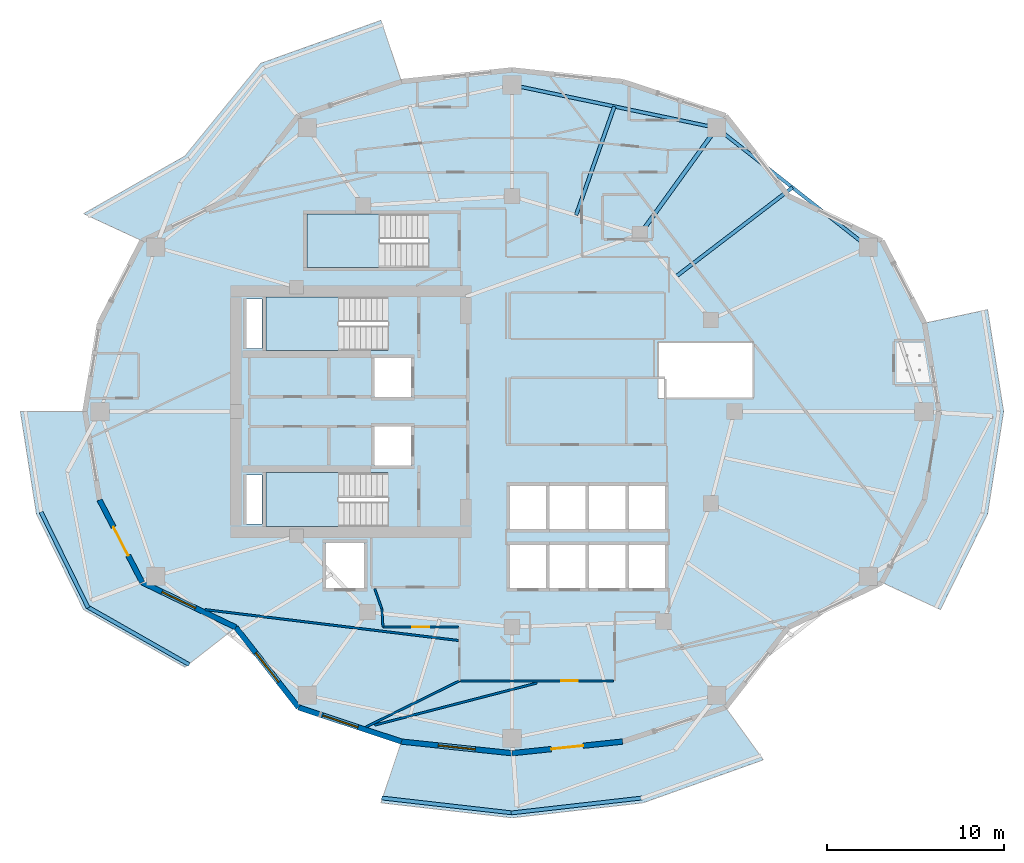
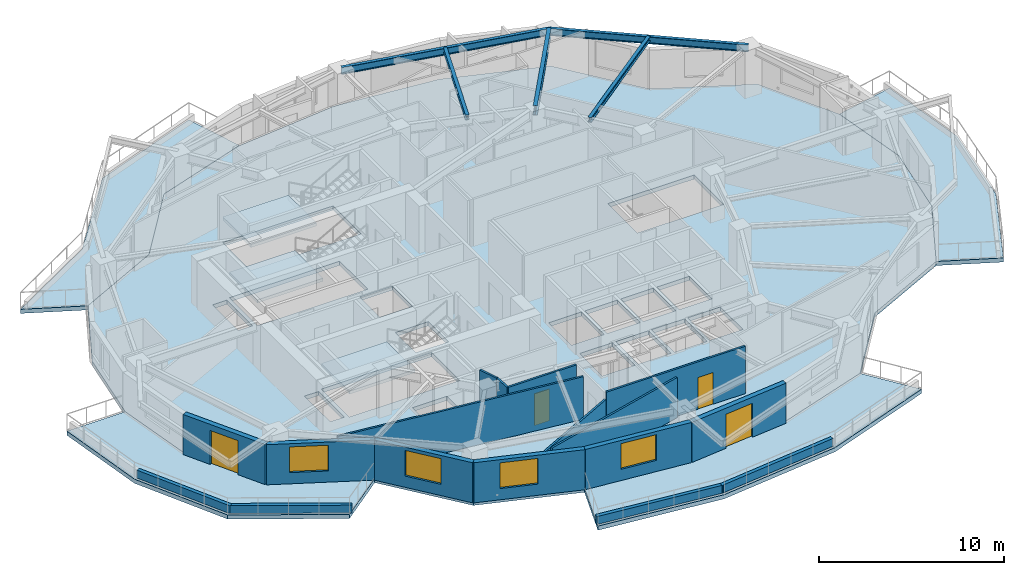
# One storey, part 2 of 14: 17 walls, 8 slabs, 5 beams, 4 doors, 4 windows, 8 openings, 3 elements without a shape of their own.
"""IFC4 building model written with IfcOpenShell, lengths in metres."""

from ifc_helpers import new_model, si_unit, direction, frame, frame_2d, origin, origin_2d, place, context, subcontext, project, spatial, polyline, rectangle, i_section, outline, extrude, material, layer, layer_set, material_profile, profile_set, type_object, element, fill, aggregate, save


model = new_model("IFC4")

# Units and contexts
model_context = context("Model", 3, precision=1e-05, world=origin(), true_north=direction((0.0, 1.0)))
body_context = subcontext(model_context, "Body", "Model", "MODEL_VIEW")
ifc_project = project(units=[si_unit("LENGTHUNIT", "METRE"), si_unit("AREAUNIT", "SQUARE_METRE"), si_unit("VOLUMEUNIT", "CUBIC_METRE"), si_unit("PLANEANGLEUNIT", "RADIAN"), si_unit("MASSUNIT", "GRAM", prefix="KILO")], contexts=[model_context])

# Site, building, storey
site_placement = place(None, origin())
site = spatial("IfcSite", under=ifc_project, at=site_placement, CompositionType="ELEMENT")
building_placement = place(site_placement, origin())
building = spatial("IfcBuilding", under=site, at=building_placement, Name="Kolvaren Gate Tower and Convention Centre", CompositionType="ELEMENT")
storey_placement = place(building_placement, frame((0.0, 0.0, 118.89990234375)))
storey = spatial("IfcBuildingStorey", under=building, at=storey_placement, Name="L29", CompositionType="ELEMENT", Elevation=118.89990234375)

# Beams
ifc_material_1 = material(Name="Structural steel ASTM A992 Grade 345 MPa", Category="steel")
ifc_material_profile_1 = material_profile(ifc_material_1, i_section(OverallWidth=0.22998046875, OverallDepth=0.616943359375, WebThickness=0.01318359375, FlangeThickness=0.022216796875, at=origin_2d()), Name="W610X140")
ifc_profile_set_1 = profile_set([ifc_material_profile_1], Name="Structural steel ASTM A992 Grade 345 MPa")
beam_type_1 = type_object("IfcBeamType", Name="STR-BM-W610X140", PredefinedType="BEAM", material=ifc_profile_set_1)
beam_1_placement = place(storey_placement, frame((37.381591796875, 37.054931640625, 2.821533203125), z_axis=(0.585208050015, 0.810883184064, 0.0), x_axis=(-0.810883184064, 0.585208050015, 0.0)))
element("IfcBeam", 1, at=beam_1_placement, inside=storey, type_object=beam_type_1, Name="Tower L29 Radial Floor Girder RB-03", PredefinedType="BEAM", context=body_context, shape_type="SweptSolid", body=[
    extrude(i_section(OverallWidth=0.22998046875, OverallDepth=0.616943359375, WebThickness=0.01318359375, FlangeThickness=0.022216796875, at=origin_2d()), origin(), (0.0, 0.0, 1.0), 7.416015625),
])
ifc_material_profile_2 = material_profile(ifc_material_1, i_section(OverallWidth=0.205078125, OverallDepth=0.31005859375, WebThickness=0.009521484375, FlangeThickness=0.016357421875, at=origin_2d()), Name="W310X74")
ifc_profile_set_2 = profile_set([ifc_material_profile_2], Name="Structural steel ASTM A992 Grade 345 MPa")
beam_type_2 = type_object("IfcBeamType", Name="STR-JS-W310X74", PredefinedType="JOIST", material=ifc_profile_set_2)
beam_2_placement = place(storey_placement, frame((39.3818359375, 34.627197265625, 2.97509765625), z_axis=(0.79454218325, 0.607208958297, 0.0), x_axis=(-0.607208958297, 0.79454218325, 0.0)))
element("IfcBeam", 2, at=beam_2_placement, inside=storey, type_object=beam_type_2, Name="Tower L29 Secondary Composite Floor Joist J-02.1", PredefinedType="JOIST", context=body_context, shape_type="SweptSolid", body=[
    extrude(i_section(OverallWidth=0.205078125, OverallDepth=0.31005859375, WebThickness=0.009521484375, FlangeThickness=0.016357421875, at=origin_2d()), origin(), (0.0, 0.0, 1.0), 8.34326171875),
])
beam_3_placement = place(storey_placement, frame((33.75341796875, 38.12744140625, 2.97509765625), z_axis=(0.332372088023, 0.943148342046, 0.0), x_axis=(-0.943148342046, 0.332372088023, 0.0)))
element("IfcBeam", 3, at=beam_3_placement, inside=storey, type_object=beam_type_2, Name="Tower L29 Secondary Composite Floor Joist J-03.1", PredefinedType="JOIST", context=body_context, shape_type="SweptSolid", body=[
    extrude(i_section(OverallWidth=0.205078125, OverallDepth=0.31005859375, WebThickness=0.009521484375, FlangeThickness=0.016357421875, at=origin_2d()), origin(), (0.0, 0.0, 1.0), 6.52783203125),
])
ifc_material_profile_3 = material_profile(ifc_material_1, i_section(OverallWidth=0.194091796875, OverallDepth=0.468994140625, WebThickness=0.0126953125, FlangeThickness=0.0205078125, at=origin_2d()), Name="W460X106")
ifc_profile_set_3 = profile_set([ifc_material_profile_3], Name="Structural steel ASTM A992 Grade 345 MPa")
beam_type_3 = type_object("IfcBeamType", Name="STR-SP-W460X106", PredefinedType="SPANDREL", material=ifc_profile_set_3)
beam_4_placement = place(storey_placement, frame((50.30029296875, 36.318603515625, 2.8955078125), z_axis=(-0.785907610354, 0.618343939881, 0.0), x_axis=(-0.618343939881, -0.785907610354, 0.0)))
element("IfcBeam", 4, at=beam_4_placement, inside=storey, type_object=beam_type_3, Name="Tower L29 Perimeter Spandrel Beam SP-02", PredefinedType="SPANDREL", context=body_context, shape_type="SweptSolid", body=[
    extrude(i_section(OverallWidth=0.194091796875, OverallDepth=0.468994140625, WebThickness=0.0126953125, FlangeThickness=0.0205078125, at=origin_2d()), origin(), (0.0, 0.0, 1.0), 10.915771484375),
])
beam_5_placement = place(storey_placement, frame((41.721435546875, 43.068359375, 2.8955078125), z_axis=(-0.978714746947, 0.205225349578, 0.0), x_axis=(-0.205225349578, -0.978714746947, 0.0)))
element("IfcBeam", 5, at=beam_5_placement, inside=storey, type_object=beam_type_3, Name="Tower L29 Perimeter Spandrel Beam SP-03", PredefinedType="SPANDREL", context=body_context, shape_type="SweptSolid", body=[
    extrude(i_section(OverallWidth=0.194091796875, OverallDepth=0.468994140625, WebThickness=0.0126953125, FlangeThickness=0.0205078125, at=origin_2d()), origin(), (0.0, 0.0, 1.0), 11.8486328125),
])

# Slabs
ifc_material_2 = material(Name="Concrete C50/60", Category="concrete")
ifc_layer_1 = layer(ifc_material_2, 0.27001953125)
ifc_layer_set_1 = layer_set([ifc_layer_1], Name="Concrete C50/60")
slab_type_1 = type_object("IfcSlabType", Name="STR-SL-BALC-270", PredefinedType="FLOOR", material=ifc_layer_set_1)
slab_1_placement = place(storey_placement, frame((0.0, 0.0, -0.27001953125)))
element("IfcSlab", 6, at=slab_1_placement, inside=storey, type_object=slab_type_1, Name="Tower L29 Planted Balcony Terrace Slab 1 (North)", PredefinedType="FLOOR", context=body_context, shape_type="SweptSolid", body=[
    extrude(outline(polyline([(23.86474609375, 45.690673828125), (18.03125, 43.757568359375), (14.481201171875, 39.222900390625), (9.177978515625, 36.675048828125), (5.855224609375, 38.209716796875), (11.597412109375, 41.476318359375), (15.889404296875, 46.725341796875), (22.702392578125, 49.1611328125), (23.86474609375, 45.690673828125)])), origin(), (0.0, 0.0, 1.0), 0.27001953125),
])
slab_2_placement = place(storey_placement, frame((0.0, 0.0, -0.27001953125)))
element("IfcSlab", 7, at=slab_2_placement, inside=storey, type_object=slab_type_1, Name="Tower L29 Planted Balcony Terrace Slab 2 (West)", PredefinedType="FLOOR", context=body_context, shape_type="SweptSolid", body=[
    extrude(outline(polyline([(5.9375, 27.0), (6.76171875, 21.991943359375), (9.177978515625, 17.324951171875), (14.481201171875, 14.777099609375), (11.597412109375, 12.523681640625), (5.855224609375, 15.790283203125), (3.18310546875, 21.224853515625), (2.277587890625, 27.0), (5.9375, 27.0)])), origin(), (0.0, 0.0, 1.0), 0.27001953125),
])
slab_3_placement = place(storey_placement, frame((0.0, 0.0, -0.27001953125)))
element("IfcSlab", 8, at=slab_3_placement, inside=storey, type_object=slab_type_1, Name="Tower L29 Planted Balcony Terrace Slab 3 (South)", PredefinedType="FLOOR", context=body_context, shape_type="SweptSolid", body=[
    extrude(outline(polyline([(23.86474609375, 8.309326171875), (30.125, 7.64990234375), (36.38525390625, 8.309326171875), (42.21875, 10.242431640625), (44.360595703125, 7.274658203125), (37.547607421875, 4.8388671875), (30.125, 3.989990234375), (22.702392578125, 4.8388671875), (23.86474609375, 8.309326171875)])), origin(), (0.0, 0.0, 1.0), 0.27001953125),
])
slab_4_placement = place(storey_placement, frame((0.0, 0.0, -0.27001953125)))
element("IfcSlab", 9, at=slab_4_placement, inside=storey, type_object=slab_type_1, Name="Tower L29 Planted Balcony Terrace Slab 4 (East)", PredefinedType="FLOOR", context=body_context, shape_type="SweptSolid", body=[
    extrude(outline(polyline([(51.072021484375, 17.324951171875), (53.48828125, 21.991943359375), (54.3125, 27.0), (53.48828125, 32.008056640625), (57.06689453125, 32.775146484375), (57.972412109375, 27.0), (57.06689453125, 21.224853515625), (54.394775390625, 15.790283203125), (51.072021484375, 17.324951171875)])), origin(), (0.0, 0.0, 1.0), 0.27001953125),
])
ifc_material_3 = material(Name="Concrete C40/50", Category="concrete")
ifc_layer_2 = layer(ifc_material_3, 0.27001953125)
ifc_layer_set_2 = layer_set([ifc_layer_2], Name="Concrete C40/50")
slab_type_2 = type_object("IfcSlabType", Name="STR-SL-FLR-270", PredefinedType="FLOOR", material=ifc_layer_set_2)
slab_5_placement = place(storey_placement, frame((0.0, 0.0, -0.27001953125)))
element("IfcSlab", 10, at=slab_5_placement, inside=storey, type_object=slab_type_2, Name="Tower L29 Structural Floor Slab", PredefinedType="FLOOR", context=body_context, shape_type="SweptSolid", body=[
    extrude(outline(polyline([(54.3125, 27.0), (53.48828125, 32.008056640625), (51.072021484375, 36.675048828125), (45.768798828125, 39.222900390625), (42.21875, 43.757568359375), (36.38525390625, 45.690673828125), (30.125, 46.35009765625), (23.86474609375, 45.690673828125), (18.03125, 43.757568359375), (14.481201171875, 39.222900390625), (9.177978515625, 36.675048828125), (6.76171875, 32.008056640625), (5.9375, 27.0), (6.76171875, 21.991943359375), (9.177978515625, 17.324951171875), (14.481201171875, 14.777099609375), (18.03125, 10.242431640625), (23.86474609375, 8.309326171875), (30.125, 7.64990234375), (36.38525390625, 8.309326171875), (42.21875, 10.242431640625), (45.768798828125, 14.777099609375), (51.072021484375, 17.324951171875), (53.48828125, 21.991943359375), (54.3125, 27.0)]), holes=[polyline([(38.39990234375, 30.949951171875), (43.800048828125, 30.949951171875), (43.800048828125, 27.75), (38.39990234375, 27.75), (38.39990234375, 30.949951171875)]), polyline([(36.75, 22.800048828125), (38.800048828125, 22.800048828125), (38.800048828125, 20.35009765625), (36.75, 20.35009765625), (36.75, 22.800048828125)]), polyline([(36.75, 17.0), (36.75, 19.449951171875), (38.800048828125, 19.449951171875), (38.800048828125, 17.0), (36.75, 17.0)]), polyline([(34.5, 20.35009765625), (34.5, 22.800048828125), (36.550048828125, 22.800048828125), (36.550048828125, 20.35009765625), (34.5, 20.35009765625)]), polyline([(34.5, 17.0), (34.5, 19.449951171875), (36.550048828125, 19.449951171875), (36.550048828125, 17.0), (34.5, 17.0)]), polyline([(32.25, 20.35009765625), (32.25, 22.800048828125), (34.300048828125, 22.800048828125), (34.300048828125, 20.35009765625), (32.25, 20.35009765625)]), polyline([(32.25, 17.0), (32.25, 19.449951171875), (34.300048828125, 19.449951171875), (34.300048828125, 17.0), (32.25, 17.0)]), polyline([(30.0, 17.0), (30.0, 19.449951171875), (32.050048828125, 19.449951171875), (32.050048828125, 17.0), (30.0, 17.0)]), polyline([(30.0, 20.35009765625), (30.0, 22.800048828125), (32.050048828125, 22.800048828125), (32.050048828125, 20.35009765625), (30.0, 20.35009765625)]), polyline([(25.39990234375, 38.199951171875), (25.39990234375, 35.159912109375), (18.5, 35.159912109375), (18.5, 38.199951171875), (25.39990234375, 38.199951171875)]), polyline([(22.35009765625, 27.840087890625), (22.35009765625, 30.0400390625), (24.39990234375, 30.0400390625), (24.39990234375, 27.840087890625), (22.35009765625, 27.840087890625)]), polyline([(22.35009765625, 23.9599609375), (22.35009765625, 26.159912109375), (24.39990234375, 26.159912109375), (24.39990234375, 23.9599609375), (22.35009765625, 23.9599609375)]), polyline([(23.10009765625, 33.5), (23.10009765625, 30.4599609375), (16.199951171875, 30.4599609375), (16.199951171875, 33.5), (23.10009765625, 33.5)]), polyline([(23.10009765625, 23.5400390625), (23.10009765625, 20.5), (16.199951171875, 20.5), (16.199951171875, 23.5400390625), (23.10009765625, 23.5400390625)]), polyline([(19.60009765625, 17.0), (19.60009765625, 19.550048828125), (21.75, 19.550048828125), (21.75, 17.0), (19.60009765625, 17.0)]), polyline([(15.080078125, 20.6298828125), (15.080078125, 23.419921875), (15.969970703125, 23.419921875), (15.969970703125, 20.6298828125), (15.080078125, 20.6298828125)]), polyline([(15.080078125, 30.580078125), (15.080078125, 33.3701171875), (15.969970703125, 33.3701171875), (15.969970703125, 30.580078125), (15.080078125, 30.580078125)])]), origin(), (0.0, 0.0, 1.0), 0.27001953125),
])

# Stair, slab
stair_type = type_object("IfcStairType", Name="STR-STAIR-CORE", PredefinedType="HALF_TURN_STAIR", material=ifc_material_2)
stair_1_placement = place(storey_placement, origin())
stair_1 = element("IfcStair", 11, at=stair_1_placement, inside=storey, type_object=stair_type, Name="L29 Tower North Exit Stair ST-T1", PredefinedType="HALF_TURN_STAIR")
ifc_layer_3 = layer(ifc_material_2, 0.199951171875)
ifc_layer_set_3 = layer_set([ifc_layer_3], Name="Concrete C50/60")
slab_type_3 = type_object("IfcSlabType", Name="STR-SL-LAND-200", PredefinedType="LANDING", material=ifc_layer_set_3)
slab_6_placement = place(storey_placement, frame((0.0, 0.0, 1.5)))
slab_6 = element("IfcSlab", 12, at=slab_6_placement, type_object=slab_type_3, Name="ST-T1 landing 1", PredefinedType="LANDING", context=body_context, shape_type="SweptSolid", body=[
    extrude(outline(polyline([(20.31005859375, 33.5), (16.199951171875, 33.5), (16.199951171875, 30.4599609375), (20.31005859375, 30.4599609375), (20.31005859375, 33.5)])), origin(), (0.0, 0.0, 1.0), 0.2001953125),
])
aggregate(stair_1, [slab_6])

stair_2_placement = place(storey_placement, origin())
stair_2 = element("IfcStair", 13, at=stair_2_placement, inside=storey, type_object=stair_type, Name="L29 Tower South Exit Stair ST-T2", PredefinedType="HALF_TURN_STAIR")
slab_7_placement = place(storey_placement, frame((0.0, 0.0, 1.5)))
slab_7 = element("IfcSlab", 14, at=slab_7_placement, type_object=slab_type_3, Name="ST-T2 landing 1", PredefinedType="LANDING", context=body_context, shape_type="SweptSolid", body=[
    extrude(outline(polyline([(20.31005859375, 23.5400390625), (16.199951171875, 23.5400390625), (16.199951171875, 20.5), (20.31005859375, 20.5), (20.31005859375, 23.5400390625)])), origin(), (0.0, 0.0, 1.0), 0.2001953125),
])
aggregate(stair_2, [slab_7])

stair_3_placement = place(storey_placement, origin())
stair_3 = element("IfcStair", 15, at=stair_3_placement, inside=storey, type_object=stair_type, Name="L29 Tower Mid-Zone Exit Stair ST-T3", PredefinedType="HALF_TURN_STAIR")
slab_8_placement = place(storey_placement, frame((0.0, 0.0, 1.5)))
slab_8 = element("IfcSlab", 16, at=slab_8_placement, type_object=slab_type_3, Name="ST-T3 landing 1", PredefinedType="LANDING", context=body_context, shape_type="SweptSolid", body=[
    extrude(outline(polyline([(22.610107421875, 38.199951171875), (18.5, 38.199951171875), (18.5, 35.159912109375), (22.610107421875, 35.159912109375), (22.610107421875, 38.199951171875)])), origin(), (0.0, 0.0, 1.0), 0.2001953125),
])
aggregate(stair_3, [slab_8])

# Wall, opening, door
ifc_material_4 = material(Name="Fire-Rated Acoustic Gypsum Stud Partition", Category="gypsum")
ifc_layer_4 = layer(ifc_material_4, 0.1201171875)
ifc_layer_set_4 = layer_set([ifc_layer_4], Name="Fire-Rated Acoustic Gypsum Stud Partition")
wall_type_1 = type_object("IfcWallType", Name="ARCH-WL-PART-120", PredefinedType="PARTITIONING", material=ifc_layer_set_4)
wall_1_placement = place(storey_placement, frame((27.2119140625, 11.75, 0.0), z_axis=(0.0, 0.0, 1.0), x_axis=(1.0, 0.0, 0.0)))
wall_1 = element("IfcWall", 17, at=wall_1_placement, inside=storey, type_object=wall_type_1, Name="Interior Partition WL-L29-INT-028", PredefinedType="PARTITIONING", context=body_context, shape_type="SweptSolid", body=[
    extrude(rectangle(XDim=8.676025390625, YDim=0.1201171875, at=frame_2d((4.337890625, 0.0))), origin(), (0.0, 0.0, 1.0), 3.130126953125),
])
opening_1_placement = place(wall_1_placement, frame((5.700927734375, 0.0, 0.0)))
opening_1 = element("IfcOpeningElement", 18, at=opening_1_placement, cuts=wall_1, Name="Opening DR-01", PredefinedType="OPENING", context=body_context, shape_type="SweptSolid", body=[
    extrude(rectangle(XDim=0.949951171875, YDim=2.10009765625, at=frame_2d((0.47509765625, 1.050048828125))), frame((0.0, 0.070068359375, 0.0), z_axis=(0.0, -1.0, 0.0), x_axis=(1.0, 0.0, 0.0)), (0.0, 0.0, 1.0), 0.14013671875),
])
ifc_material_5 = material(Name="Painted Architectural Steelwork ASTM A500 Grade C 345 MPa", Category="steel")
door_type_1 = type_object("IfcDoorType", Name="ARCH-DR-RISER-950", OperationType="SINGLE_SWING_RIGHT", PredefinedType="DOOR", material=ifc_material_5)
door_1_placement = place(opening_1_placement, origin())
door_1 = element("IfcDoor", 19, at=door_1_placement, inside=storey, type_object=door_type_1, Name="Executive Seminar Conference Room Door", OperationType="SINGLE_SWING_LEFT", OverallHeight=2.10009765625, OverallWidth=0.949951171875, PredefinedType="DOOR", context=body_context, shape_type="SweptSolid", body=[
    extrude(rectangle(XDim=0.949951171875, YDim=2.10009765625, at=frame_2d((0.47509765625, 1.050048828125))), frame((0.0, 0.02490234375, 0.0), z_axis=(0.0, -1.0, 0.0), x_axis=(1.0, 0.0, 0.0)), (0.0, 0.0, 1.0), 0.050048828125),
])
fill(opening_1, door_1)

wall_2_placement = place(storey_placement, frame((22.81396484375, 14.800048828125, 0.0), z_axis=(0.0, 0.0, 1.0), x_axis=(1.0, 0.0, 0.0)))
wall_2 = element("IfcWall", 20, at=wall_2_placement, inside=storey, type_object=wall_type_1, Name="Interior Partition WL-L29-INT-029", PredefinedType="PARTITIONING", context=body_context, shape_type="SweptSolid", body=[
    extrude(rectangle(XDim=4.27392578125, YDim=0.1201171875, at=frame_2d((2.136962890625, 0.0))), origin(), (0.0, 0.0, 1.0), 3.130126953125),
])
opening_2_placement = place(wall_2_placement, frame((1.662109375, 0.0, 0.0)))
opening_2 = element("IfcOpeningElement", 21, at=opening_2_placement, cuts=wall_2, Name="Opening DR-01", PredefinedType="OPENING", context=body_context, shape_type="SweptSolid", body=[
    extrude(rectangle(XDim=0.949951171875, YDim=2.10009765625, at=frame_2d((0.47509765625, 1.050048828125))), frame((0.0, 0.070068359375, 0.0), z_axis=(0.0, -1.0, 0.0), x_axis=(1.0, 0.0, 0.0)), (0.0, 0.0, 1.0), 0.14013671875),
])
door_2_placement = place(opening_2_placement, origin())
door_2 = element("IfcDoor", 22, at=door_2_placement, inside=storey, type_object=door_type_1, Name="Executive Seminar Conference Room Door", OperationType="SINGLE_SWING_LEFT", OverallHeight=2.10009765625, OverallWidth=0.949951171875, PredefinedType="DOOR", context=body_context, shape_type="SweptSolid", body=[
    extrude(rectangle(XDim=0.949951171875, YDim=2.10009765625, at=frame_2d((0.47509765625, 1.050048828125))), frame((0.0, 0.02490234375, 0.0), z_axis=(0.0, -1.0, 0.0), x_axis=(1.0, 0.0, 0.0)), (0.0, 0.0, 1.0), 0.050048828125),
])
fill(opening_2, door_2)

# Walls
wall_3_placement = place(storey_placement, frame((22.756103515625, 15.81103515625, 0.0), z_axis=(0.0, 0.0, 1.0), x_axis=(0.057139047697, -0.998366230012, 0.0)))
element("IfcWall", 23, at=wall_3_placement, inside=storey, type_object=wall_type_1, Name="Interior Partition WL-L29-INT-031", PredefinedType="PARTITIONING", context=body_context, shape_type="SweptSolid", body=[
    extrude(rectangle(XDim=1.0126953125, YDim=0.1201171875, at=frame_2d((0.50634765625, 0.0))), origin(), (0.0, 0.0, 1.0), 3.130126953125),
])
wall_4_placement = place(storey_placement, frame((22.347900390625, 16.972900390625, 0.0), z_axis=(0.0, 0.0, 1.0), x_axis=(0.331471687044, -0.943465166653, 0.0)))
element("IfcWall", 24, at=wall_4_placement, inside=storey, type_object=wall_type_1, Name="Interior Partition WL-L29-INT-032", PredefinedType="PARTITIONING", context=body_context, shape_type="SweptSolid", body=[
    extrude(rectangle(XDim=1.2314453125, YDim=0.1201171875, at=frame_2d((0.61572265625, 0.0))), origin(), (0.0, 0.0, 1.0), 3.130126953125),
])
wall_5_placement = place(storey_placement, frame((12.732666015625, 15.78564453125, 0.0), z_axis=(0.0, 0.0, 1.0), x_axis=(0.992651170815, -0.121010962642, 0.0)))
element("IfcWall", 25, at=wall_5_placement, inside=storey, type_object=wall_type_1, Name="Interior Partition WL-L29-INT-058", PredefinedType="PARTITIONING", context=body_context, shape_type="SweptSolid", body=[
    extrude(rectangle(XDim=14.46142578125, YDim=0.1201171875, at=frame_2d((7.230712890625, 0.0))), origin(), (0.0, 0.0, 1.0), 2.81201171875),
])
wall_6_placement = place(storey_placement, frame((21.85205078125, 9.136474609375, 0.0), z_axis=(0.0, 0.0, 1.0), x_axis=(0.896811350554, 0.442413157036, 0.0)))
element("IfcWall", 26, at=wall_6_placement, inside=storey, type_object=wall_type_1, Name="Interior Partition WL-L29-INT-059", PredefinedType="PARTITIONING", context=body_context, shape_type="SweptSolid", body=[
    extrude(rectangle(XDim=5.907470703125, YDim=0.1201171875, at=frame_2d((2.95361328125, 0.0))), origin(), (0.0, 0.0, 1.0), 2.653076171875),
])
wall_7_placement = place(storey_placement, frame((22.341552734375, 9.24169921875, 0.0), z_axis=(0.0, 0.0, 1.0), x_axis=(0.967982801211, 0.251016526466, 0.0)))
element("IfcWall", 27, at=wall_7_placement, inside=storey, type_object=wall_type_1, Name="Interior Partition WL-L29-INT-060", PredefinedType="PARTITIONING", context=body_context, shape_type="SweptSolid", body=[
    extrude(rectangle(XDim=9.50634765625, YDim=0.1201171875, at=frame_2d((4.753173828125, 0.0))), origin(), (0.0, 0.0, 1.0), 2.653076171875),
])
ifc_material_6 = material(Name="Piedmont Cream Honed Limestone Cladding", Category="masonry")
ifc_layer_5 = layer(ifc_material_6, 0.219970703125)
ifc_layer_set_5 = layer_set([ifc_layer_5], Name="Piedmont Cream Honed Limestone Cladding")
wall_type_2 = type_object("IfcWallType", Name="ARCH-WL-PLANTER-220", PredefinedType="PARAPET", material=ifc_layer_set_5)
wall_8_placement = place(storey_placement, frame((3.44873046875, 21.31298828125, 0.0), z_axis=(0.0, 0.0, 1.0), x_axis=(0.441269631716, -0.897374566235, 0.0)))
element("IfcWall", 28, at=wall_8_placement, inside=storey, type_object=wall_type_2, Name="Vertical-Forest Balcony Stone Planter Kerb PK-L29-2.2", PredefinedType="PARAPET", context=body_context, shape_type="SweptSolid", body=[
    extrude(rectangle(XDim=6.05615234375, YDim=0.219970703125, at=frame_2d((3.028076171875, 0.0))), origin(), (0.0, 0.0, 1.0), 0.52001953125),
])
wall_9_placement = place(storey_placement, frame((6.095458984375, 15.934326171875, 0.0), z_axis=(0.0, 0.0, 1.0), x_axis=(0.869187658335, -0.494482370361, 0.0)))
element("IfcWall", 29, at=wall_9_placement, inside=storey, type_object=wall_type_2, Name="Vertical-Forest Balcony Stone Planter Kerb PK-L29-2.3", PredefinedType="PARAPET", context=body_context, shape_type="SweptSolid", body=[
    extrude(rectangle(XDim=6.606201171875, YDim=0.219970703125, at=frame_2d((3.30322265625, 0.0))), origin(), (0.0, 0.0, 1.0), 0.52001953125),
])
for number, where, z_axis, x_axis, name in (
    (30, (22.747802734375, 5.114990234375, 0.0), (0.0, 0.0, 1.0), (0.993527615836, -0.11359082961, 0.0), "Vertical-Forest Balcony Stone Planter Kerb PK-L29-3.1"),
    (31, (30.07958984375, 4.266357421875, 0.0), (0.0, 0.0, 1.0), (0.993527615836, 0.11359082961, 0.0), "Vertical-Forest Balcony Stone Planter Kerb PK-L29-3.2"),
):
    element("IfcWall", number, at=place(storey_placement, frame(where, z_axis=z_axis, x_axis=x_axis)), inside=storey, type_object=wall_type_2, Name=name, PredefinedType="PARAPET", context=body_context, shape_type="SweptSolid", body=[
        extrude(rectangle(XDim=7.470947265625, YDim=0.219970703125, at=frame_2d((3.7353515625, 0.0))), origin(), (0.0, 0.0, 1.0), 0.52001953125),
    ])

# Wall, opening, door
ifc_layer_6 = layer(ifc_material_6, 0.300048828125)
ifc_layer_set_6 = layer_set([ifc_layer_6], Name="Piedmont Cream Honed Limestone Cladding")
wall_type_3 = type_object("IfcWallType", Name="ARCH-WL-STONE-300", PredefinedType="SOLIDWALL", material=ifc_layer_set_6)
wall_10_placement = place(storey_placement, frame((6.76171875, 21.991943359375, 0.0), z_axis=(0.0, 0.0, 1.0), x_axis=(0.459767899643, -0.888039119892, 0.0)))
wall_10 = element("IfcWall", 32, at=wall_10_placement, inside=storey, type_object=wall_type_3, Name="Tower L29 Honed Stone Spandrel Wall EW-13", PredefinedType="SOLIDWALL", context=body_context, shape_type="SweptSolid", body=[
    extrude(rectangle(XDim=5.25537109375, YDim=0.300048828125, at=frame_2d((2.627685546875, 0.0))), origin(), (0.0, 0.0, 1.0), 2.653076171875),
])
opening_3_placement = place(wall_10_placement, frame((1.72802734375, 0.0, 0.0)))
opening_3 = element("IfcOpeningElement", 33, at=opening_3_placement, cuts=wall_10, Name="Opening DB-01", PredefinedType="OPENING", context=body_context, shape_type="SweptSolid", body=[
    extrude(rectangle(XDim=1.800048828125, YDim=2.25, at=frame_2d((0.89990234375, 1.125))), frame((0.0, 0.159912109375, 0.0), z_axis=(0.0, -1.0, 0.0), x_axis=(1.0, 0.0, 0.0)), (0.0, 0.0, 1.0), 0.320068359375),
])
ifc_material_7 = material(Name="Anodized Architectural Aluminium Alloy 6063-T6", Category="aluminium")
door_type_2 = type_object("IfcDoorType", Name="ARCH-DR-BALC-1800", OperationType="SLIDING_TO_LEFT", PredefinedType="DOOR", material=ifc_material_7)
door_3_placement = place(opening_3_placement, frame((1.800048828125, 0.0, 0.0), z_axis=(0.0, 0.0, 1.0), x_axis=(-1.0, 0.0, 0.0)))
door_3 = element("IfcDoor", 34, at=door_3_placement, inside=storey, type_object=door_type_2, Name="Planted Sky Terrace Access Door DB-L29-13", OperationType="SLIDING_TO_LEFT", OverallHeight=2.25, OverallWidth=1.800048828125, PredefinedType="DOOR", context=body_context, shape_type="SweptSolid", body=[
    extrude(rectangle(XDim=1.800048828125, YDim=2.25, at=frame_2d((0.89990234375, 1.125))), frame((0.0, 0.02490234375, 0.0), z_axis=(0.0, -1.0, 0.0), x_axis=(1.0, 0.0, 0.0)), (0.0, 0.0, 1.0), 0.050048828125),
])
fill(opening_3, door_3)

# Wall, opening, window
wall_11_placement = place(storey_placement, frame((9.177978515625, 17.324951171875, 0.0), z_axis=(0.0, 0.0, 1.0), x_axis=(0.901370184739, -0.433049408339, 0.0)))
wall_11 = element("IfcWall", 35, at=wall_11_placement, inside=storey, type_object=wall_type_3, Name="Tower L29 Honed Stone Spandrel Wall EW-14", PredefinedType="SOLIDWALL", context=body_context, shape_type="SweptSolid", body=[
    extrude(rectangle(XDim=5.883544921875, YDim=0.300048828125, at=frame_2d((2.94189453125, 0.0))), origin(), (0.0, 0.0, 1.0), 2.653076171875),
])
opening_4_placement = place(wall_11_placement, frame((1.25, 0.0, 0.739990234375)))
opening_4 = element("IfcOpeningElement", 36, at=opening_4_placement, cuts=wall_11, Name="Opening W-02", PredefinedType="OPENING", context=body_context, shape_type="SweptSolid", body=[
    extrude(rectangle(XDim=2.10009765625, YDim=1.699951171875, at=frame_2d((1.050048828125, 0.85009765625))), frame((0.0, 0.159912109375, 0.0), z_axis=(0.0, -1.0, 0.0), x_axis=(1.0, 0.0, 0.0)), (0.0, 0.0, 1.0), 0.320068359375),
])
ifc_material_8 = material(Name="Low-E Triple Insulated Glazing Unit 44 mm", Category="glass")
window_type = type_object("IfcWindowType", Name="ARCH-WN-HTL-2100", PartitioningType="SINGLE_PANEL", PredefinedType="WINDOW", material=ifc_material_8)
window_1_placement = place(opening_4_placement, origin())
window_1 = element("IfcWindow", 37, at=window_1_placement, inside=storey, type_object=window_type, Name="Tower L29 Punched Stone Facade Window W-14", OverallHeight=1.699951171875, OverallWidth=2.10009765625, PartitioningType="SINGLE_PANEL", PredefinedType="WINDOW", context=body_context, shape_type="SweptSolid", body=[
    extrude(rectangle(XDim=2.10009765625, YDim=1.699951171875, at=frame_2d((1.050048828125, 0.85009765625))), frame((0.0, 0.030029296875, 0.0), z_axis=(0.0, -1.0, 0.0), x_axis=(1.0, 0.0, 0.0)), (0.0, 0.0, 1.0), 0.06005859375),
])
fill(opening_4, window_1)

wall_12_placement = place(storey_placement, frame((14.481201171875, 14.777099609375, 0.0), z_axis=(0.0, 0.0, 1.0), x_axis=(0.616435134162, -0.787405693001, 0.0)))
wall_12 = element("IfcWall", 38, at=wall_12_placement, inside=storey, type_object=wall_type_3, Name="Tower L29 Honed Stone Spandrel Wall EW-15", PredefinedType="SOLIDWALL", context=body_context, shape_type="SweptSolid", body=[
    extrude(rectangle(XDim=5.759033203125, YDim=0.300048828125, at=frame_2d((2.87939453125, 0.0))), origin(), (0.0, 0.0, 1.0), 2.653076171875),
])
opening_5_placement = place(wall_12_placement, frame((1.8291015625, 0.0, 0.739990234375)))
opening_5 = element("IfcOpeningElement", 39, at=opening_5_placement, cuts=wall_12, Name="Opening W-02", PredefinedType="OPENING", context=body_context, shape_type="SweptSolid", body=[
    extrude(rectangle(XDim=2.10009765625, YDim=1.699951171875, at=frame_2d((1.050048828125, 0.85009765625))), frame((0.0, 0.159912109375, 0.0), z_axis=(0.0, -1.0, 0.0), x_axis=(1.0, 0.0, 0.0)), (0.0, 0.0, 1.0), 0.320068359375),
])
window_2_placement = place(opening_5_placement, origin())
window_2 = element("IfcWindow", 40, at=window_2_placement, inside=storey, type_object=window_type, Name="Tower L29 Punched Stone Facade Window W-15", OverallHeight=1.699951171875, OverallWidth=2.10009765625, PartitioningType="SINGLE_PANEL", PredefinedType="WINDOW", context=body_context, shape_type="SweptSolid", body=[
    extrude(rectangle(XDim=2.10009765625, YDim=1.699951171875, at=frame_2d((1.050048828125, 0.85009765625))), frame((0.0, 0.030029296875, 0.0), z_axis=(0.0, -1.0, 0.0), x_axis=(1.0, 0.0, 0.0)), (0.0, 0.0, 1.0), 0.06005859375),
])
fill(opening_5, window_2)

wall_13_placement = place(storey_placement, frame((18.03125, 10.242431640625, 0.0), z_axis=(0.0, 0.0, 1.0), x_axis=(0.949238009374, -0.314558741032, 0.0)))
wall_13 = element("IfcWall", 41, at=wall_13_placement, inside=storey, type_object=wall_type_3, Name="Tower L29 Honed Stone Spandrel Wall EW-16", PredefinedType="SOLIDWALL", context=body_context, shape_type="SweptSolid", body=[
    extrude(rectangle(XDim=6.1455078125, YDim=0.300048828125, at=frame_2d((3.07275390625, 0.0))), origin(), (0.0, 0.0, 1.0), 2.653076171875),
])
opening_6_placement = place(wall_13_placement, frame((1.449951171875, 0.0, 0.739990234375)))
opening_6 = element("IfcOpeningElement", 42, at=opening_6_placement, cuts=wall_13, Name="Opening W-02", PredefinedType="OPENING", context=body_context, shape_type="SweptSolid", body=[
    extrude(rectangle(XDim=2.10009765625, YDim=1.699951171875, at=frame_2d((1.050048828125, 0.85009765625))), frame((0.0, 0.159912109375, 0.0), z_axis=(0.0, -1.0, 0.0), x_axis=(1.0, 0.0, 0.0)), (0.0, 0.0, 1.0), 0.320068359375),
])
window_3_placement = place(opening_6_placement, origin())
window_3 = element("IfcWindow", 43, at=window_3_placement, inside=storey, type_object=window_type, Name="Tower L29 Punched Stone Facade Window W-16", OverallHeight=1.699951171875, OverallWidth=2.10009765625, PartitioningType="SINGLE_PANEL", PredefinedType="WINDOW", context=body_context, shape_type="SweptSolid", body=[
    extrude(rectangle(XDim=2.10009765625, YDim=1.699951171875, at=frame_2d((1.050048828125, 0.85009765625))), frame((0.0, 0.030029296875, 0.0), z_axis=(0.0, -1.0, 0.0), x_axis=(1.0, 0.0, 0.0)), (0.0, 0.0, 1.0), 0.06005859375),
])
fill(opening_6, window_3)

wall_14_placement = place(storey_placement, frame((23.86474609375, 8.309326171875, 0.0), z_axis=(0.0, 0.0, 1.0), x_axis=(0.994498012394, -0.104755445421, 0.0)))
wall_14 = element("IfcWall", 44, at=wall_14_placement, inside=storey, type_object=wall_type_3, Name="Tower L29 Honed Stone Spandrel Wall EW-17", PredefinedType="SOLIDWALL", context=body_context, shape_type="SweptSolid", body=[
    extrude(rectangle(XDim=6.294921875, YDim=0.300048828125, at=frame_2d((3.1474609375, 0.0))), origin(), (0.0, 0.0, 1.0), 2.653076171875),
])
opening_7_placement = place(wall_14_placement, frame((2.096923828125, 0.0, 0.739990234375)))
opening_7 = element("IfcOpeningElement", 45, at=opening_7_placement, cuts=wall_14, Name="Opening W-02", PredefinedType="OPENING", context=body_context, shape_type="SweptSolid", body=[
    extrude(rectangle(XDim=2.10009765625, YDim=1.699951171875, at=frame_2d((1.050048828125, 0.85009765625))), frame((0.0, 0.159912109375, 0.0), z_axis=(0.0, -1.0, 0.0), x_axis=(1.0, 0.0, 0.0)), (0.0, 0.0, 1.0), 0.320068359375),
])
window_4_placement = place(opening_7_placement, origin())
window_4 = element("IfcWindow", 46, at=window_4_placement, inside=storey, type_object=window_type, Name="Tower L29 Punched Stone Facade Window W-17", OverallHeight=1.699951171875, OverallWidth=2.10009765625, PartitioningType="SINGLE_PANEL", PredefinedType="WINDOW", context=body_context, shape_type="SweptSolid", body=[
    extrude(rectangle(XDim=2.10009765625, YDim=1.699951171875, at=frame_2d((1.050048828125, 0.85009765625))), frame((0.0, 0.030029296875, 0.0), z_axis=(0.0, -1.0, 0.0), x_axis=(1.0, 0.0, 0.0)), (0.0, 0.0, 1.0), 0.06005859375),
])
fill(opening_7, window_4)

# Wall, opening, door
wall_15_placement = place(storey_placement, frame((30.125, 7.64990234375, 0.0), z_axis=(0.0, 0.0, 1.0), x_axis=(0.994498012394, 0.104755445421, 0.0)))
wall_15 = element("IfcWall", 47, at=wall_15_placement, inside=storey, type_object=wall_type_3, Name="Tower L29 Honed Stone Spandrel Wall EW-18", PredefinedType="SOLIDWALL", context=body_context, shape_type="SweptSolid", body=[
    extrude(rectangle(XDim=6.294921875, YDim=0.300048828125, at=frame_2d((3.1474609375, 0.0))), origin(), (0.0, 0.0, 1.0), 2.653076171875),
])
opening_8_placement = place(wall_15_placement, frame((2.2470703125, 0.0, 0.0)))
opening_8 = element("IfcOpeningElement", 48, at=opening_8_placement, cuts=wall_15, Name="Opening DB-01", PredefinedType="OPENING", context=body_context, shape_type="SweptSolid", body=[
    extrude(rectangle(XDim=1.800048828125, YDim=2.25, at=frame_2d((0.89990234375, 1.125))), frame((0.0, 0.159912109375, 0.0), z_axis=(0.0, -1.0, 0.0), x_axis=(1.0, 0.0, 0.0)), (0.0, 0.0, 1.0), 0.320068359375),
])
door_4_placement = place(opening_8_placement, frame((1.800048828125, 0.0, 0.0), z_axis=(0.0, 0.0, 1.0), x_axis=(-1.0, 0.0, 0.0)))
door_4 = element("IfcDoor", 49, at=door_4_placement, inside=storey, type_object=door_type_2, Name="Planted Sky Terrace Access Door DB-L29-18", OperationType="SLIDING_TO_LEFT", OverallHeight=2.25, OverallWidth=1.800048828125, PredefinedType="DOOR", context=body_context, shape_type="SweptSolid", body=[
    extrude(rectangle(XDim=1.800048828125, YDim=2.25, at=frame_2d((0.89990234375, 1.125))), frame((0.0, 0.02490234375, 0.0), z_axis=(0.0, -1.0, 0.0), x_axis=(1.0, 0.0, 0.0)), (0.0, 0.0, 1.0), 0.050048828125),
])
fill(opening_8, door_4)

save(model, "model.ifc")
